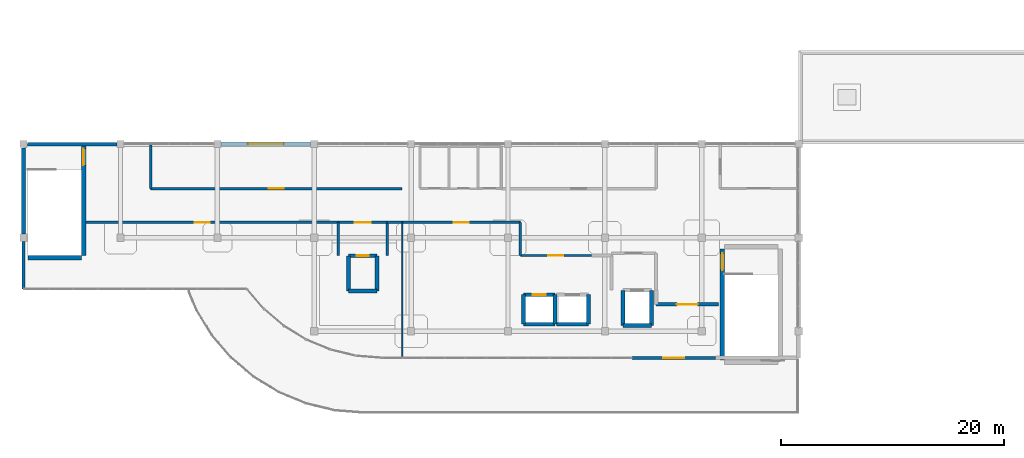
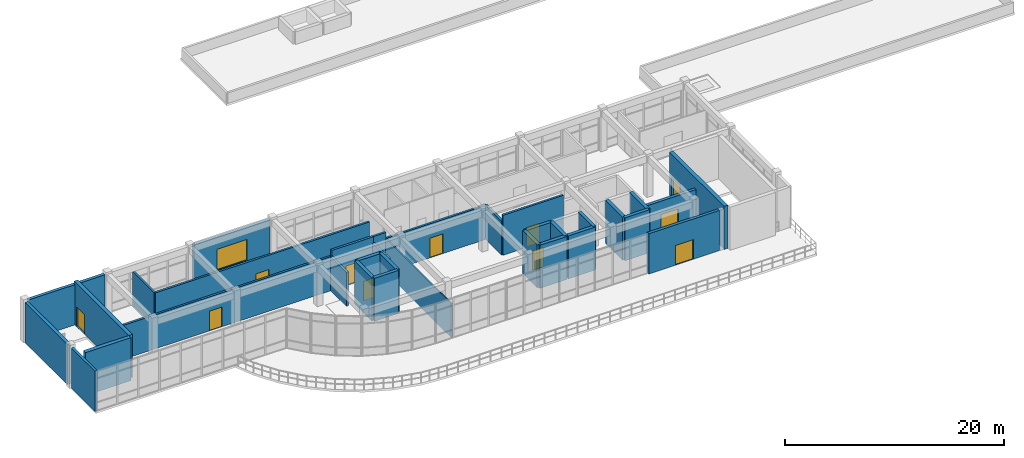
# One storey, part 36 of 41: 33 walls, 11 doors, 1 window, 12 openings.
"""IFC4 building model written with IfcOpenShell, lengths in metres."""

from ifc_helpers import new_model, si_unit, derived_unit, direction, frame, frame_2d, origin, place, context, subcontext, project, spatial, rectangle, extrude, material, layer, layer_set, type_object, element, fill, save


model = new_model("IFC4")

# Units and contexts
model_context = context("Model", 3, precision=1e-05, world=origin(), true_north=direction((0.0, 1.0)))
body_context = subcontext(model_context, "Body", "Model", "MODEL_VIEW")
ifc_project = project(units=[si_unit("LENGTHUNIT", "METRE"), si_unit("AREAUNIT", "SQUARE_METRE"), si_unit("VOLUMEUNIT", "CUBIC_METRE"), si_unit("PLANEANGLEUNIT", "RADIAN"), si_unit("MASSUNIT", "GRAM", prefix="KILO"), derived_unit("THERMALTRANSMITTANCEUNIT", [(si_unit("MASSUNIT", "GRAM", prefix="KILO"), 1), (si_unit("TIMEUNIT", "SECOND"), -3), (si_unit("THERMODYNAMICTEMPERATUREUNIT", "KELVIN"), -1)])], contexts=[model_context])

# Site, building, storey
site_placement = place(None, origin())
site = spatial("IfcSite", under=ifc_project, at=site_placement, CompositionType="ELEMENT")
building_placement = place(site_placement, origin())
building = spatial("IfcBuilding", under=site, at=building_placement, Name="Qinzheling Arcade Emporium", CompositionType="ELEMENT")
storey_placement = place(building_placement, frame((0.0, 0.0, 36.300048828125)))
storey = spatial("IfcBuildingStorey", under=building, at=storey_placement, Name="L08", CompositionType="ELEMENT", Elevation=36.300048828125)

# Wall, opening, door
ifc_material_1 = material(Name="Double-stud acoustic gypsum board partition")
ifc_layer_1 = layer(ifc_material_1, 0.215087890625, Name="Double-stud acoustic gypsum board partition")
ifc_layer_set_1 = layer_set([ifc_layer_1], Name="Double-stud acoustic gypsum board partition")
wall_type_1 = type_object("IfcWallType", Name="Acoustic Corridor Partition Wall 215", PredefinedType="PARTITIONING", material=ifc_layer_set_1)
wall_1_placement = place(storey_placement, frame((44.60009765625, 32.0, 0.0), z_axis=(0.0, 0.0, 1.0), x_axis=(1.0, 0.0, 0.0)))
wall_1 = element("IfcWall", 1, at=wall_1_placement, inside=storey, type_object=wall_type_1, Name="Interior Wall WL-L08-INT-0976", PredefinedType="PARTITIONING", context=body_context, shape_type="SweptSolid", body=[
    extrude(rectangle(XDim=6.39990234375, YDim=0.215087890625, at=frame_2d((3.199951171875, 0.0))), origin(), (0.0, 0.0, 1.0), 4.4599609375),
])
opening_1_placement = place(wall_1_placement, frame((2.52490234375, 0.0, 0.0)))
opening_1 = element("IfcOpeningElement", 2, at=opening_1_placement, cuts=wall_1, Name="Opening FD05", PredefinedType="OPENING", context=body_context, shape_type="SweptSolid", body=[
    extrude(rectangle(XDim=1.35009765625, YDim=2.199951171875, at=frame_2d((0.675048828125, 1.10009765625))), frame((0.0, 0.11767578125, 0.0), z_axis=(0.0, -1.0, 0.0), x_axis=(1.0, 0.0, 0.0)), (0.0, 0.0, 1.0), 0.235107421875),
])
ifc_material_2 = material(Name="Class B fire-rated stainless-clad door")
door_type_1 = type_object("IfcDoorType", Name="Kitchen Fire-Rated Service Door 1350x2200", OperationType="NOTDEFINED", PredefinedType="DOOR", material=ifc_material_2)
door_1_placement = place(opening_1_placement, origin())
door_1 = element("IfcDoor", 3, at=door_1_placement, inside=storey, type_object=door_type_1, Name="FD05 Interior Door DR-L08-INT-0287", OperationType="SINGLE_SWING_LEFT", OverallHeight=2.199951171875, OverallWidth=1.35009765625, PredefinedType="DOOR", context=body_context, shape_type="SweptSolid", body=[
    extrude(rectangle(XDim=1.35009765625, YDim=2.199951171875, at=frame_2d((0.675048828125, 1.10009765625))), frame((0.0, 0.02490234375, 0.0), z_axis=(0.0, -1.0, 0.0), x_axis=(1.0, 0.0, 0.0)), (0.0, 0.0, 1.0), 0.050048828125),
])
fill(opening_1, door_1)

# Wall
wall_2_placement = place(storey_placement, frame((11.39990234375, 41.89990234375, 0.0), z_axis=(0.0, 0.0, 1.0), x_axis=(0.0, -1.0, 0.0)))
element("IfcWall", 4, at=wall_2_placement, inside=storey, type_object=wall_type_1, Name="Interior Wall WL-L08-INT-1001", PredefinedType="PARTITIONING", context=body_context, shape_type="SweptSolid", body=[
    extrude(rectangle(XDim=3.89990234375, YDim=0.215087890625, at=frame_2d((1.949951171875, 0.0))), origin(), (0.0, 0.0, 1.0), 3.800048828125),
])

# Wall, opening, door
wall_3_placement = place(storey_placement, frame((11.39990234375, 38.0, 0.0), z_axis=(0.0, 0.0, 1.0), x_axis=(1.0, 0.0, 0.0)))
wall_3 = element("IfcWall", 5, at=wall_3_placement, inside=storey, type_object=wall_type_1, Name="Interior Wall WL-L08-INT-1002", PredefinedType="PARTITIONING", context=body_context, shape_type="SweptSolid", body=[
    extrude(rectangle(XDim=22.60009765625, YDim=0.215087890625, at=frame_2d((11.300048828125, 0.0))), origin(), (0.0, 0.0, 1.0), 3.800048828125),
])
opening_2_placement = place(wall_3_placement, frame((10.625, 0.0, 0.0)))
opening_2 = element("IfcOpeningElement", 6, at=opening_2_placement, cuts=wall_3, Name="Opening FD05", PredefinedType="OPENING", context=body_context, shape_type="SweptSolid", body=[
    extrude(rectangle(XDim=1.35009765625, YDim=2.199951171875, at=frame_2d((0.675048828125, 1.10009765625))), frame((0.0, 0.11767578125, 0.0), z_axis=(0.0, -1.0, 0.0), x_axis=(1.0, 0.0, 0.0)), (0.0, 0.0, 1.0), 0.235107421875),
])
door_2_placement = place(opening_2_placement, origin())
door_2 = element("IfcDoor", 7, at=door_2_placement, inside=storey, type_object=door_type_1, Name="FD05 Interior Door DR-L08-INT-0294", OperationType="SINGLE_SWING_RIGHT", OverallHeight=2.199951171875, OverallWidth=1.35009765625, PredefinedType="DOOR", context=body_context, shape_type="SweptSolid", body=[
    extrude(rectangle(XDim=1.35009765625, YDim=2.199951171875, at=frame_2d((0.675048828125, 1.10009765625))), frame((0.0, 0.02490234375, 0.0), z_axis=(0.0, -1.0, 0.0), x_axis=(1.0, 0.0, 0.0)), (0.0, 0.0, 1.0), 0.050048828125),
])
fill(opening_2, door_2)

wall_4_placement = place(storey_placement, frame((28.25, 34.97998046875, 0.0), z_axis=(0.0, 0.0, 1.0), x_axis=(-1.0, 0.0, 0.0)))
wall_4 = element("IfcWall", 8, at=wall_4_placement, inside=storey, type_object=wall_type_1, Name="Interior Wall WL-L08-INT-1003", PredefinedType="PARTITIONING", context=body_context, shape_type="SweptSolid", body=[
    extrude(rectangle(XDim=22.655029296875, YDim=0.215087890625, at=frame_2d((11.32763671875, 0.0))), origin(), (0.0, 0.0, 1.0), 3.800048828125),
])
opening_3_placement = place(wall_4_placement, frame((11.552978515625, 0.0, 0.0)))
opening_3 = element("IfcOpeningElement", 9, at=opening_3_placement, cuts=wall_4, Name="Opening FD05", PredefinedType="OPENING", context=body_context, shape_type="SweptSolid", body=[
    extrude(rectangle(XDim=1.35009765625, YDim=2.199951171875, at=frame_2d((0.675048828125, 1.10009765625))), frame((0.0, 0.11767578125, 0.0), z_axis=(0.0, -1.0, 0.0), x_axis=(1.0, 0.0, 0.0)), (0.0, 0.0, 1.0), 0.235107421875),
])
door_3_placement = place(opening_3_placement, origin())
door_3 = element("IfcDoor", 10, at=door_3_placement, inside=storey, type_object=door_type_1, Name="FD05 Interior Door DR-L08-INT-0295", OperationType="SINGLE_SWING_LEFT", OverallHeight=2.199951171875, OverallWidth=1.35009765625, PredefinedType="DOOR", context=body_context, shape_type="SweptSolid", body=[
    extrude(rectangle(XDim=1.35009765625, YDim=2.199951171875, at=frame_2d((0.675048828125, 1.10009765625))), frame((0.0, 0.02490234375, 0.0), z_axis=(0.0, -1.0, 0.0), x_axis=(1.0, 0.0, 0.0)), (0.0, 0.0, 1.0), 0.050048828125),
])
fill(opening_3, door_3)

# Walls
wall_5_placement = place(storey_placement, frame((34.0, 34.97998046875, 0.0), z_axis=(0.0, 0.0, 1.0), x_axis=(-1.0, 0.0, 0.0)))
element("IfcWall", 11, at=wall_5_placement, inside=storey, type_object=wall_type_1, Name="Interior Wall WL-L08-INT-1004", PredefinedType="PARTITIONING", context=body_context, shape_type="SweptSolid", body=[
    extrude(rectangle(XDim=1.35009765625, YDim=0.215087890625, at=frame_2d((0.675048828125, 0.0))), origin(), (0.0, 0.0, 1.0), 4.4599609375),
])
wall_6_placement = place(storey_placement, frame((44.60009765625, 32.0, 0.0), z_axis=(0.0, 0.0, 1.0), x_axis=(0.0, 1.0, 0.0)))
element("IfcWall", 12, at=wall_6_placement, inside=storey, type_object=wall_type_1, Name="Interior Wall WL-L08-INT-1005", PredefinedType="PARTITIONING", context=body_context, shape_type="SweptSolid", body=[
    extrude(rectangle(XDim=2.97998046875, YDim=0.215087890625, at=frame_2d((1.489990234375, 0.0))), origin(), (0.0, 0.0, 1.0), 3.800048828125),
])

# Wall, opening, door
wall_7_placement = place(storey_placement, frame((44.60009765625, 34.97998046875, 0.0), z_axis=(0.0, 0.0, 1.0), x_axis=(-1.0, 0.0, 0.0)))
wall_7 = element("IfcWall", 13, at=wall_7_placement, inside=storey, type_object=wall_type_1, Name="Interior Wall WL-L08-INT-1006", PredefinedType="PARTITIONING", context=body_context, shape_type="SweptSolid", body=[
    extrude(rectangle(XDim=10.60009765625, YDim=0.215087890625, at=frame_2d((5.300048828125, 0.0))), origin(), (0.0, 0.0, 1.0), 3.800048828125),
])
opening_4_placement = place(wall_7_placement, frame((4.625, 0.0, 0.0)))
opening_4 = element("IfcOpeningElement", 14, at=opening_4_placement, cuts=wall_7, Name="Opening FD05", PredefinedType="OPENING", context=body_context, shape_type="SweptSolid", body=[
    extrude(rectangle(XDim=1.35009765625, YDim=2.199951171875, at=frame_2d((0.675048828125, 1.10009765625))), frame((0.0, 0.11767578125, 0.0), z_axis=(0.0, -1.0, 0.0), x_axis=(1.0, 0.0, 0.0)), (0.0, 0.0, 1.0), 0.235107421875),
])
door_4_placement = place(opening_4_placement, origin())
door_4 = element("IfcDoor", 15, at=door_4_placement, inside=storey, type_object=door_type_1, Name="FD05 Interior Door DR-L08-INT-0296", OperationType="SINGLE_SWING_RIGHT", OverallHeight=2.199951171875, OverallWidth=1.35009765625, PredefinedType="DOOR", context=body_context, shape_type="SweptSolid", body=[
    extrude(rectangle(XDim=1.35009765625, YDim=2.199951171875, at=frame_2d((0.675048828125, 1.10009765625))), frame((0.0, 0.02490234375, 0.0), z_axis=(0.0, -1.0, 0.0), x_axis=(1.0, 0.0, 0.0)), (0.0, 0.0, 1.0), 0.050048828125),
])
fill(opening_4, door_4)

# Walls
ifc_material_3 = material(Name="Insulated aluminium-clad spandrel wall", Category="aluminium")
ifc_layer_2 = layer(ifc_material_3, 0.260009765625, Name="Insulated aluminium-clad spandrel wall", Category="aluminium")
ifc_layer_set_2 = layer_set([ifc_layer_2], Name="Insulated aluminium-clad spandrel wall")
wall_type_2 = type_object("IfcWallType", Name="Arcade Clerestory Spandrel Wall 260", PredefinedType="STANDARD", material=ifc_layer_set_2)
wall_8_placement = place(storey_placement, frame((0.0, 29.0, 0.0), z_axis=(0.0, 0.0, 1.0), x_axis=(0.0, 1.0, 0.0)))
element("IfcWall", 16, at=wall_8_placement, inside=storey, type_object=wall_type_2, Name="Exterior Wall WL-L08-EW-0388", PredefinedType="STANDARD", context=body_context, shape_type="SweptSolid", body=[
    extrude(rectangle(XDim=4.27294921875, YDim=0.260009765625, at=frame_2d((2.136474609375, 0.0))), origin(), (0.0, 0.0, 1.0), 4.489990234375),
])
ifc_material_4 = material(Name="Celadon glazed terracotta insulated spandrel", Category="masonry")
ifc_layer_3 = layer(ifc_material_4, 0.340087890625, Name="Celadon glazed terracotta insulated spandrel", Category="masonry")
ifc_layer_set_3 = layer_set([ifc_layer_3], Name="Celadon glazed terracotta insulated spandrel")
wall_type_3 = type_object("IfcWallType", Name="Celadon Spandrel Infill Wall 340", PredefinedType="STANDARD", material=ifc_layer_set_3)
wall_9_placement = place(storey_placement, frame((0.0, 33.927001953125, 0.0), z_axis=(0.0, 0.0, 1.0), x_axis=(0.0, 1.0, 0.0)))
element("IfcWall", 17, at=wall_9_placement, inside=storey, type_object=wall_type_3, Name="Exterior Wall WL-L08-EW-0389", PredefinedType="STANDARD", context=body_context, shape_type="SweptSolid", body=[
    extrude(rectangle(XDim=7.74609375, YDim=0.340087890625, at=frame_2d((3.873046875, 0.0))), origin(), (0.0, 0.0, 1.0), 4.489990234375),
])
ifc_material_5 = material(Name="Glazed cream terracotta insulated wall", Category="masonry")
ifc_layer_4 = layer(ifc_material_5, 0.320068359375, Name="Glazed cream terracotta insulated wall", Category="masonry")
ifc_layer_set_4 = layer_set([ifc_layer_4], Name="Glazed cream terracotta insulated wall")
wall_type_4 = type_object("IfcWallType", Name="Chicago Frame Infill Wall 320", PredefinedType="STANDARD", material=ifc_layer_set_4)
wall_10_placement = place(storey_placement, frame((0.326904296875, 42.0, 0.0), z_axis=(0.0, 0.0, 1.0), x_axis=(1.0, 0.0, 0.0)))
element("IfcWall", 18, at=wall_10_placement, inside=storey, type_object=wall_type_4, Name="Exterior Wall WL-L08-EW-0390", PredefinedType="STANDARD", context=body_context, shape_type="SweptSolid", body=[
    extrude(rectangle(XDim=8.046142578125, YDim=0.320068359375, at=frame_2d((4.02294921875, 0.0))), origin(), (0.0, 0.0, 1.0), 4.489990234375),
])

# Wall, opening, door
ifc_material_6 = material(Name="Fire-rated double-stud gypsum and mineral wool wall")
ifc_layer_5 = layer(ifc_material_6, 0.2451171875, Name="Fire-rated double-stud gypsum and mineral wool wall")
ifc_layer_set_5 = layer_set([ifc_layer_5], Name="Fire-rated double-stud gypsum and mineral wool wall")
wall_type_5 = type_object("IfcWallType", Name="Firefighting Lobby Rated Wall 245", PredefinedType="STANDARD", material=ifc_layer_set_5)
wall_11_placement = place(storey_placement, frame((28.25, 34.97998046875, 0.0), z_axis=(0.0, 0.0, 1.0), x_axis=(1.0, 0.0, 0.0)))
wall_11 = element("IfcWall", 19, at=wall_11_placement, inside=storey, type_object=wall_type_5, Name="Interior Wall WL-L08-INT-0970", PredefinedType="STANDARD", context=body_context, shape_type="SweptSolid", body=[
    extrude(rectangle(XDim=4.39990234375, YDim=0.2451171875, at=frame_2d((2.199951171875, 0.0))), origin(), (0.0, 0.0, 1.0), 4.4599609375),
])
opening_5_placement = place(wall_11_placement, frame((1.47509765625, 0.0, 0.0)))
opening_5 = element("IfcOpeningElement", 20, at=opening_5_placement, cuts=wall_11, Name="Opening FD02", PredefinedType="OPENING", context=body_context, shape_type="SweptSolid", body=[
    extrude(rectangle(XDim=1.449951171875, YDim=2.199951171875, at=frame_2d((0.72509765625, 1.10009765625))), frame((0.0, 0.132568359375, 0.0), z_axis=(0.0, -1.0, 0.0), x_axis=(1.0, 0.0, 0.0)), (0.0, 0.0, 1.0), 0.26513671875),
])
ifc_material_7 = material(Name="Class A fire-rated steel double door", Category="steel")
door_type_2 = type_object("IfcDoorType", Name="Firefighting Lobby Fire Door 1450x2200", OperationType="DOUBLE_DOOR_SINGLE_SWING", PredefinedType="DOOR", material=ifc_material_7)
door_5_placement = place(opening_5_placement, origin())
door_5 = element("IfcDoor", 21, at=door_5_placement, inside=storey, type_object=door_type_2, Name="FD02 Interior Door DR-L08-INT-0285", OperationType="DOUBLE_DOOR_SINGLE_SWING", OverallHeight=2.199951171875, OverallWidth=1.449951171875, PredefinedType="DOOR", context=body_context, shape_type="SweptSolid", body=[
    extrude(rectangle(XDim=1.449951171875, YDim=2.199951171875, at=frame_2d((0.72509765625, 1.10009765625))), frame((0.0, 0.02490234375, 0.0), z_axis=(0.0, -1.0, 0.0), x_axis=(1.0, 0.0, 0.0)), (0.0, 0.0, 1.0), 0.050048828125),
])
fill(opening_5, door_5)

# Walls
for number, where, z_axis, x_axis, name in (
    (22, (28.25, 31.97998046875, 0.0), (0.0, 0.0, 1.0), (0.0, 1.0, 0.0), "Interior Wall WL-L08-INT-0971"),
    (23, (32.64990234375, 34.97998046875, 0.0), (0.0, 0.0, 1.0), (0.0, -1.0, 0.0), "Interior Wall WL-L08-INT-0972"),
):
    element("IfcWall", number, at=place(storey_placement, frame(where, z_axis=z_axis, x_axis=x_axis)), inside=storey, type_object=wall_type_5, Name=name, PredefinedType="STANDARD", context=body_context, shape_type="SweptSolid", body=[
        extrude(rectangle(XDim=3.0, YDim=0.2451171875, at=frame_2d((1.5, 0.0))), origin(), (0.0, 0.0, 1.0), 3.800048828125),
    ])

# Wall, opening, window
ifc_material_8 = material(Name="Glazed cream terracotta on Concrete C40", Category="masonry")
ifc_layer_6 = layer(ifc_material_8, 0.360107421875, Name="Glazed cream terracotta on Concrete C40", Category="masonry")
ifc_layer_set_6 = layer_set([ifc_layer_6], Name="Glazed cream terracotta on Concrete C40")
wall_type_6 = type_object("IfcWallType", Name="Glazed Terracotta Pier Wall 360", PredefinedType="STANDARD", material=ifc_layer_set_6)
wall_12_placement = place(storey_placement, frame((17.72705078125, 42.0, 0.0), z_axis=(0.0, 0.0, 1.0), x_axis=(1.0, 0.0, 0.0)))
wall_12 = element("IfcWall", 24, at=wall_12_placement, inside=storey, type_object=wall_type_6, Name="Exterior Wall WL-L08-EW-0391", PredefinedType="STANDARD", context=body_context, shape_type="SweptSolid", body=[
    extrude(rectangle(XDim=8.0458984375, YDim=0.360107421875, at=frame_2d((4.02294921875, 0.0))), origin(), (0.0, 0.0, 1.0), 4.489990234375),
])
opening_6_placement = place(wall_12_placement, frame((2.423095703125, 0.0, 0.85009765625)))
opening_6 = element("IfcOpeningElement", 25, at=opening_6_placement, cuts=wall_12, Name="Opening WN35", PredefinedType="OPENING", context=body_context, shape_type="SweptSolid", body=[
    extrude(rectangle(XDim=3.199951171875, YDim=2.35009765625, at=frame_2d((1.60009765625, 1.175048828125))), frame((0.0, 0.18994140625, 0.0), z_axis=(0.0, -1.0, 0.0), x_axis=(1.0, 0.0, 0.0)), (0.0, 0.0, 1.0), 0.380126953125),
])
ifc_material_9 = material(Name="Thermally broken aluminium frame with solar-control double glazing", Category="aluminium")
window_type = type_object("IfcWindowType", Name="Chicago Tripartite Window 3200x2350", PartitioningType="TRIPLE_PANEL_VERTICAL", PredefinedType="WINDOW", material=ifc_material_9)
window_placement = place(opening_6_placement, origin())
window = element("IfcWindow", 26, at=window_placement, inside=storey, type_object=window_type, Name="WN35 Window WN-L08-0089", OverallHeight=2.35009765625, OverallWidth=3.199951171875, PartitioningType="TRIPLE_PANEL_VERTICAL", PredefinedType="WINDOW", context=body_context, shape_type="SweptSolid", body=[
    extrude(rectangle(XDim=3.199951171875, YDim=2.35009765625, at=frame_2d((1.60009765625, 1.175048828125))), frame((0.0, 0.030029296875, 0.0), z_axis=(0.0, -1.0, 0.0), x_axis=(1.0, 0.0, 0.0)), (0.0, 0.0, 1.0), 0.06005859375),
])
fill(opening_6, window)

# Walls
ifc_material_10 = material(Name="Concrete C40", Category="concrete")
ifc_layer_7 = layer(ifc_material_10, 0.35009765625, Name="Concrete C40", Category="concrete")
ifc_layer_set_7 = layer_set([ifc_layer_7], Name="Concrete C40")
wall_type_7 = type_object("IfcWallType", Name="RC Lift Shaft Shear Wall 350 C40", PredefinedType="SHEAR", material=ifc_layer_set_7)
wall_13_placement = place(storey_placement, frame((56.375, 25.72509765625, 0.0), z_axis=(0.0, 0.0, 1.0), x_axis=(-1.0, 0.0, 0.0)))
element("IfcWall", 27, at=wall_13_placement, inside=storey, type_object=wall_type_7, Name="Lift Shaft Wall WL-L08-LFT-LF01-S", PredefinedType="SHEAR", context=body_context, shape_type="SweptSolid", body=[
    extrude(rectangle(XDim=2.550048828125, YDim=0.35009765625, at=frame_2d((1.27490234375, 0.0))), origin(), (0.0, 0.0, 1.0), 4.800048828125),
])
for number, where, z_axis, x_axis, name in (
    (28, (53.824951171875, 25.72509765625, 0.0), (0.0, 0.0, 1.0), (0.0, 1.0, 0.0), "Lift Shaft Wall WL-L08-LFT-LF01-W"),
    (29, (56.375, 28.875, 0.0), (0.0, 0.0, 1.0), (0.0, -1.0, 0.0), "Lift Shaft Wall WL-L08-LFT-LF01-E"),
):
    element("IfcWall", number, at=place(storey_placement, frame(where, z_axis=z_axis, x_axis=x_axis)), inside=storey, type_object=wall_type_7, Name=name, PredefinedType="SHEAR", context=body_context, shape_type="SweptSolid", body=[
        extrude(rectangle(XDim=3.14990234375, YDim=0.35009765625, at=frame_2d((1.574951171875, 0.0))), origin(), (0.0, 0.0, 1.0), 4.800048828125),
    ])

# Wall, opening, door
wall_14_placement = place(storey_placement, frame((29.175048828125, 31.97509765625, 0.0), z_axis=(0.0, 0.0, 1.0), x_axis=(1.0, 0.0, 0.0)))
wall_14 = element("IfcWall", 30, at=wall_14_placement, inside=storey, type_object=wall_type_7, Name="Lift Shaft Wall WL-L08-LFT-LF02-N", PredefinedType="SHEAR", context=body_context, shape_type="SweptSolid", body=[
    extrude(rectangle(XDim=2.550048828125, YDim=0.35009765625, at=frame_2d((1.27490234375, 0.0))), origin(), (0.0, 0.0, 1.0), 4.800048828125),
])
opening_7_placement = place(wall_14_placement, frame((0.72509765625, 0.0, 0.0)))
opening_7 = element("IfcOpeningElement", 31, at=opening_7_placement, cuts=wall_14, Name="Opening LD01", PredefinedType="OPENING", context=body_context, shape_type="SweptSolid", body=[
    extrude(rectangle(XDim=1.10009765625, YDim=2.199951171875, at=frame_2d((0.550048828125, 1.10009765625))), frame((0.0, 0.18505859375, 0.0), z_axis=(0.0, -1.0, 0.0), x_axis=(1.0, 0.0, 0.0)), (0.0, 0.0, 1.0), 0.3701171875),
])
ifc_material_11 = material(Name="Fire-rated stainless steel sliding lift door", Category="steel")
door_type_3 = type_object("IfcDoorType", Name="Firefighting Lift Sliding Landing Door 1100x2200", OperationType="DOUBLE_DOOR_SLIDING", PredefinedType="DOOR", material=ifc_material_11)
door_6_placement = place(opening_7_placement, origin())
door_6 = element("IfcDoor", 32, at=door_6_placement, inside=storey, type_object=door_type_3, Name="LD01 Lift Landing Door LF02 L08", OperationType="DOUBLE_DOOR_SLIDING", OverallHeight=2.199951171875, OverallWidth=1.10009765625, PredefinedType="DOOR", context=body_context, shape_type="SweptSolid", body=[
    extrude(rectangle(XDim=1.10009765625, YDim=2.199951171875, at=frame_2d((0.550048828125, 1.10009765625))), frame((0.0, 0.02490234375, 0.0), z_axis=(0.0, -1.0, 0.0), x_axis=(1.0, 0.0, 0.0)), (0.0, 0.0, 1.0), 0.050048828125),
])
fill(opening_7, door_6)

# Walls
wall_15_placement = place(storey_placement, frame((31.72509765625, 28.824951171875, 0.0), z_axis=(0.0, 0.0, 1.0), x_axis=(-1.0, 0.0, 0.0)))
element("IfcWall", 33, at=wall_15_placement, inside=storey, type_object=wall_type_7, Name="Lift Shaft Wall WL-L08-LFT-LF02-S", PredefinedType="SHEAR", context=body_context, shape_type="SweptSolid", body=[
    extrude(rectangle(XDim=2.550048828125, YDim=0.35009765625, at=frame_2d((1.27490234375, 0.0))), origin(), (0.0, 0.0, 1.0), 4.800048828125),
])
for number, where, z_axis, x_axis, name in (
    (34, (29.175048828125, 28.824951171875, 0.0), (0.0, 0.0, 1.0), (0.0, 1.0, 0.0), "Lift Shaft Wall WL-L08-LFT-LF02-W"),
    (35, (31.72509765625, 31.97509765625, 0.0), (0.0, 0.0, 1.0), (0.0, -1.0, 0.0), "Lift Shaft Wall WL-L08-LFT-LF02-E"),
):
    element("IfcWall", number, at=place(storey_placement, frame(where, z_axis=z_axis, x_axis=x_axis)), inside=storey, type_object=wall_type_7, Name=name, PredefinedType="SHEAR", context=body_context, shape_type="SweptSolid", body=[
        extrude(rectangle(XDim=3.150146484375, YDim=0.35009765625, at=frame_2d((1.5751953125, 0.0))), origin(), (0.0, 0.0, 1.0), 4.800048828125),
    ])

# Wall, opening, door
wall_16_placement = place(storey_placement, frame((44.875, 28.47509765625, 0.0), z_axis=(0.0, 0.0, 1.0), x_axis=(1.0, 0.0, 0.0)))
wall_16 = element("IfcWall", 36, at=wall_16_placement, inside=storey, type_object=wall_type_7, Name="Lift Shaft Wall WL-L08-LFT-LP01-N", PredefinedType="SHEAR", context=body_context, shape_type="SweptSolid", body=[
    extrude(rectangle(XDim=2.85009765625, YDim=0.35009765625, at=frame_2d((1.425048828125, 0.0))), origin(), (0.0, 0.0, 1.0), 4.800048828125),
])
opening_8_placement = place(wall_16_placement, frame((0.824951171875, 0.0, 0.0)))
opening_8 = element("IfcOpeningElement", 37, at=opening_8_placement, cuts=wall_16, Name="Opening LD02", PredefinedType="OPENING", context=body_context, shape_type="SweptSolid", body=[
    extrude(rectangle(XDim=1.199951171875, YDim=2.199951171875, at=frame_2d((0.60009765625, 1.10009765625))), frame((0.0, 0.18505859375, 0.0), z_axis=(0.0, -1.0, 0.0), x_axis=(1.0, 0.0, 0.0)), (0.0, 0.0, 1.0), 0.3701171875),
])
ifc_material_12 = material(Name="Brushed bronze stainless sliding lift door")
door_type_4 = type_object("IfcDoorType", Name="Passenger Lift Sliding Landing Door 1200x2200", OperationType="DOUBLE_DOOR_SLIDING", PredefinedType="DOOR", material=ifc_material_12)
door_7_placement = place(opening_8_placement, origin())
door_7 = element("IfcDoor", 38, at=door_7_placement, inside=storey, type_object=door_type_4, Name="LD02 Lift Landing Door LP01 L08", OperationType="DOUBLE_DOOR_SLIDING", OverallHeight=2.199951171875, OverallWidth=1.199951171875, PredefinedType="DOOR", context=body_context, shape_type="SweptSolid", body=[
    extrude(rectangle(XDim=1.199951171875, YDim=2.199951171875, at=frame_2d((0.60009765625, 1.10009765625))), frame((0.0, 0.02490234375, 0.0), z_axis=(0.0, -1.0, 0.0), x_axis=(1.0, 0.0, 0.0)), (0.0, 0.0, 1.0), 0.050048828125),
])
fill(opening_8, door_7)

# Walls
wall_17_placement = place(storey_placement, frame((47.72509765625, 25.824951171875, 0.0), z_axis=(0.0, 0.0, 1.0), x_axis=(-1.0, 0.0, 0.0)))
element("IfcWall", 39, at=wall_17_placement, inside=storey, type_object=wall_type_7, Name="Lift Shaft Wall WL-L08-LFT-LP01-S", PredefinedType="SHEAR", context=body_context, shape_type="SweptSolid", body=[
    extrude(rectangle(XDim=2.85009765625, YDim=0.35009765625, at=frame_2d((1.425048828125, 0.0))), origin(), (0.0, 0.0, 1.0), 4.800048828125),
])
for number, where, z_axis, x_axis, name in (
    (40, (44.875, 25.824951171875, 0.0), (0.0, 0.0, 1.0), (0.0, 1.0, 0.0), "Lift Shaft Wall WL-L08-LFT-LP01-W"),
    (41, (47.72509765625, 28.47509765625, 0.0), (0.0, 0.0, 1.0), (0.0, -1.0, 0.0), "Lift Shaft Wall WL-L08-LFT-LP01-E"),
):
    element("IfcWall", number, at=place(storey_placement, frame(where, z_axis=z_axis, x_axis=x_axis)), inside=storey, type_object=wall_type_7, Name=name, PredefinedType="SHEAR", context=body_context, shape_type="SweptSolid", body=[
        extrude(rectangle(XDim=2.650146484375, YDim=0.35009765625, at=frame_2d((1.3251953125, 0.0))), origin(), (0.0, 0.0, 1.0), 4.800048828125),
    ])
wall_18_placement = place(storey_placement, frame((50.72509765625, 25.824951171875, 0.0), z_axis=(0.0, 0.0, 1.0), x_axis=(-1.0, 0.0, 0.0)))
element("IfcWall", 42, at=wall_18_placement, inside=storey, type_object=wall_type_7, Name="Lift Shaft Wall WL-L08-LFT-LP02-S", PredefinedType="SHEAR", context=body_context, shape_type="SweptSolid", body=[
    extrude(rectangle(XDim=2.85009765625, YDim=0.35009765625, at=frame_2d((1.425048828125, 0.0))), origin(), (0.0, 0.0, 1.0), 4.800048828125),
])
wall_19_placement = place(storey_placement, frame((50.72509765625, 28.47509765625, 0.0), z_axis=(0.0, 0.0, 1.0), x_axis=(0.0, -1.0, 0.0)))
element("IfcWall", 43, at=wall_19_placement, inside=storey, type_object=wall_type_7, Name="Lift Shaft Wall WL-L08-LFT-LP02-E", PredefinedType="SHEAR", context=body_context, shape_type="SweptSolid", body=[
    extrude(rectangle(XDim=2.650146484375, YDim=0.35009765625, at=frame_2d((1.3251953125, 0.0))), origin(), (0.0, 0.0, 1.0), 4.800048828125),
])

# Wall, opening, door
ifc_material_13 = material(Name="Concrete C50", Category="concrete")
ifc_layer_8 = layer(ifc_material_13, 0.39990234375, Name="Concrete C50", Category="concrete")
ifc_layer_set_8 = layer_set([ifc_layer_8], Name="Concrete C50")
wall_type_8 = type_object("IfcWallType", Name="RC Stair Core Shear Wall 400 C50", PredefinedType="SHEAR", material=ifc_layer_set_8)
wall_20_placement = place(storey_placement, frame((62.75, 22.60009765625, 0.0), z_axis=(0.0, 0.0, 1.0), x_axis=(0.0, 1.0, 0.0)))
wall_20 = element("IfcWall", 44, at=wall_20_placement, inside=storey, type_object=wall_type_8, Name="Stair Core Wall WL-L08-ST01-WEST", PredefinedType="SHEAR", context=body_context, shape_type="SweptSolid", body=[
    extrude(rectangle(XDim=10.0, YDim=0.39990234375, at=frame_2d((5.0, 0.0))), origin(), (0.0, 0.0, 1.0), 4.800048828125),
])
opening_9_placement = place(wall_20_placement, frame((8.090087890625, 0.0, 0.0)))
opening_9 = element("IfcOpeningElement", 45, at=opening_9_placement, cuts=wall_20, Name="Opening FD01", PredefinedType="OPENING", context=body_context, shape_type="SweptSolid", body=[
    extrude(rectangle(XDim=1.5, YDim=2.199951171875, at=frame_2d((0.75, 1.10009765625))), frame((0.0, 0.2099609375, 0.0), z_axis=(0.0, -1.0, 0.0), x_axis=(1.0, 0.0, 0.0)), (0.0, 0.0, 1.0), 0.419921875),
])
door_type_5 = type_object("IfcDoorType", Name="Stairwell Smoke-Proof Fire Door 1500x2200", OperationType="DOUBLE_DOOR_SINGLE_SWING", PredefinedType="DOOR", material=ifc_material_7)
door_8_placement = place(opening_9_placement, origin())
door_8 = element("IfcDoor", 46, at=door_8_placement, inside=storey, type_object=door_type_5, Name="FD01 Stairwell Fire Door DR-L08-ST01-FD", OperationType="DOUBLE_DOOR_SINGLE_SWING", OverallHeight=2.199951171875, OverallWidth=1.5, PredefinedType="DOOR", context=body_context, shape_type="SweptSolid", body=[
    extrude(rectangle(XDim=1.5, YDim=2.199951171875, at=frame_2d((0.75, 1.10009765625))), frame((0.0, 0.02490234375, 0.0), z_axis=(0.0, -1.0, 0.0), x_axis=(1.0, 0.0, 0.0)), (0.0, 0.0, 1.0), 0.050048828125),
])
fill(opening_9, door_8)

wall_21_placement = place(storey_placement, frame((5.389892578125, 42.0, 0.0), z_axis=(0.0, 0.0, 1.0), x_axis=(0.0, -1.0, 0.0)))
wall_21 = element("IfcWall", 47, at=wall_21_placement, inside=storey, type_object=wall_type_8, Name="Stair Core Wall WL-L08-ST02-EAST", PredefinedType="SHEAR", context=body_context, shape_type="SweptSolid", body=[
    extrude(rectangle(XDim=10.0, YDim=0.39990234375, at=frame_2d((5.0, 0.0))), origin(), (0.0, 0.0, 1.0), 4.800048828125),
])
opening_10_placement = place(wall_21_placement, frame((0.409912109375, 0.0, 0.0)))
opening_10 = element("IfcOpeningElement", 48, at=opening_10_placement, cuts=wall_21, Name="Opening FD01", PredefinedType="OPENING", context=body_context, shape_type="SweptSolid", body=[
    extrude(rectangle(XDim=1.5, YDim=2.199951171875, at=frame_2d((0.75, 1.10009765625))), frame((0.0, 0.2099609375, 0.0), z_axis=(0.0, -1.0, 0.0), x_axis=(1.0, 0.0, 0.0)), (0.0, 0.0, 1.0), 0.419921875),
])
door_9_placement = place(opening_10_placement, origin())
door_9 = element("IfcDoor", 49, at=door_9_placement, inside=storey, type_object=door_type_5, Name="FD01 Stairwell Fire Door DR-L08-ST02-FD", OperationType="DOUBLE_DOOR_SINGLE_SWING", OverallHeight=2.199951171875, OverallWidth=1.5, PredefinedType="DOOR", context=body_context, shape_type="SweptSolid", body=[
    extrude(rectangle(XDim=1.5, YDim=2.199951171875, at=frame_2d((0.75, 1.10009765625))), frame((0.0, 0.02490234375, 0.0), z_axis=(0.0, -1.0, 0.0), x_axis=(1.0, 0.0, 0.0)), (0.0, 0.0, 1.0), 0.050048828125),
])
fill(opening_10, door_9)

# Wall
wall_22_placement = place(storey_placement, frame((5.18994140625, 31.800048828125, 0.0), z_axis=(0.0, 0.0, 1.0), x_axis=(-1.0, 0.0, 0.0)))
element("IfcWall", 50, at=wall_22_placement, inside=storey, type_object=wall_type_8, Name="Stair Core Wall WL-L08-ST02-SOUTH", PredefinedType="SHEAR", context=body_context, shape_type="SweptSolid", body=[
    extrude(rectangle(XDim=4.7900390625, YDim=0.39990234375, at=frame_2d((2.39501953125, 0.0))), origin(), (0.0, 0.0, 1.0), 4.800048828125),
])

# Wall, opening, door
ifc_material_14 = material(Name="Autoclaved aerated concrete masonry with fire plaster", Category="masonry")
ifc_layer_9 = layer(ifc_material_14, 0.31005859375, Name="Autoclaved aerated concrete masonry with fire plaster", Category="masonry")
ifc_layer_set_9 = layer_set([ifc_layer_9], Name="Autoclaved aerated concrete masonry with fire plaster")
wall_type_9 = type_object("IfcWallType", Name="Retail Compartment Fire Wall 310 C40", PredefinedType="STANDARD", material=ifc_layer_set_9)
wall_23_placement = place(storey_placement, frame((62.39990234375, 27.60009765625, 0.0), z_axis=(0.0, 0.0, 1.0), x_axis=(-1.0, 0.0, 0.0)))
wall_23 = element("IfcWall", 51, at=wall_23_placement, inside=storey, type_object=wall_type_9, Name="Interior Wall WL-L08-INT-1008", PredefinedType="STANDARD", context=body_context, shape_type="SweptSolid", body=[
    extrude(rectangle(XDim=5.599853515625, YDim=0.31005859375, at=frame_2d((2.7998046875, 0.0))), origin(), (0.0, 0.0, 1.0), 3.800048828125),
])
opening_11_placement = place(wall_23_placement, frame((1.875, 0.0, 0.0)))
opening_11 = element("IfcOpeningElement", 52, at=opening_11_placement, cuts=wall_23, Name="Opening FD03", PredefinedType="OPENING", context=body_context, shape_type="SweptSolid", body=[
    extrude(rectangle(XDim=1.85009765625, YDim=2.300048828125, at=frame_2d((0.925048828125, 1.14990234375))), frame((0.0, 0.1650390625, 0.0), z_axis=(0.0, -1.0, 0.0), x_axis=(1.0, 0.0, 0.0)), (0.0, 0.0, 1.0), 0.330078125),
])
door_type_6 = type_object("IfcDoorType", Name="Stockroom Double Fire Door 1850x2300", OperationType="DOUBLE_DOOR_SINGLE_SWING", PredefinedType="DOOR", material=ifc_material_7)
door_10_placement = place(opening_11_placement, origin())
door_10 = element("IfcDoor", 53, at=door_10_placement, inside=storey, type_object=door_type_6, Name="FD03 Interior Door DR-L08-INT-0297", OperationType="DOUBLE_DOOR_SINGLE_SWING", OverallHeight=2.300048828125, OverallWidth=1.85009765625, PredefinedType="DOOR", context=body_context, shape_type="SweptSolid", body=[
    extrude(rectangle(XDim=1.85009765625, YDim=2.300048828125, at=frame_2d((0.925048828125, 1.14990234375))), frame((0.0, 0.02490234375, 0.0), z_axis=(0.0, -1.0, 0.0), x_axis=(1.0, 0.0, 0.0)), (0.0, 0.0, 1.0), 0.050048828125),
])
fill(opening_11, door_10)

# Wall
ifc_material_15 = material(Name="Galvanised steel-stud stockroom partition", Category="steel")
ifc_layer_10 = layer(ifc_material_15, 0.114990234375, Name="Galvanised steel-stud stockroom partition", Category="steel")
ifc_layer_set_10 = layer_set([ifc_layer_10], Name="Galvanised steel-stud stockroom partition")
wall_type_10 = type_object("IfcWallType", Name="Storage Cage Partition Wall 115", PredefinedType="PARTITIONING", material=ifc_layer_set_10)
wall_24_placement = place(storey_placement, frame((34.0, 34.97998046875, 0.0), z_axis=(0.0, 0.0, 1.0), x_axis=(0.0, -1.0, 0.0)))
element("IfcWall", 54, at=wall_24_placement, inside=storey, type_object=wall_type_10, Name="Interior Wall WL-L08-INT-1013", PredefinedType="PARTITIONING", context=body_context, shape_type="SweptSolid", body=[
    extrude(rectangle(XDim=12.080078125, YDim=0.114990234375, at=frame_2d((6.0400390625, 0.0))), origin(), (0.0, 0.0, 1.0), 3.800048828125),
])

# Wall, opening, door
ifc_layer_11 = layer(ifc_material_5, 0.300048828125, Name="Glazed cream terracotta insulated wall", Category="masonry")
ifc_layer_set_11 = layer_set([ifc_layer_11], Name="Glazed cream terracotta insulated wall")
wall_type_11 = type_object("IfcWallType", Name="Terrace Facade Infill Wall 300", PredefinedType="STANDARD", material=ifc_layer_set_11)
wall_25_placement = place(storey_placement, frame((62.117919921875, 22.800048828125, 0.0), z_axis=(0.0, 0.0, 1.0), x_axis=(-1.0, 0.0, 0.0)))
wall_25 = element("IfcWall", 55, at=wall_25_placement, inside=storey, type_object=wall_type_11, Name="Exterior Wall WL-L08-EW-0387", PredefinedType="STANDARD", context=body_context, shape_type="SweptSolid", body=[
    extrude(rectangle(XDim=7.475830078125, YDim=0.300048828125, at=frame_2d((3.73779296875, 0.0))), origin(), (0.0, 0.0, 1.0), 4.489990234375),
])
opening_12_placement = place(wall_25_placement, frame((2.7880859375, 0.0, 0.0)))
opening_12 = element("IfcOpeningElement", 56, at=opening_12_placement, cuts=wall_25, Name="Opening TD03", PredefinedType="OPENING", context=body_context, shape_type="SweptSolid", body=[
    extrude(rectangle(XDim=1.89990234375, YDim=2.199951171875, at=frame_2d((0.949951171875, 1.10009765625))), frame((0.0, 0.16015625, 0.0), z_axis=(0.0, -1.0, 0.0), x_axis=(1.0, 0.0, 0.0)), (0.0, 0.0, 1.0), 0.320068359375),
])
ifc_material_16 = material(Name="Thermally broken aluminium and double glass", Category="aluminium")
door_type_7 = type_object("IfcDoorType", Name="Rooftop Restaurant Terrace Door 1900x2200", OperationType="DOUBLE_DOOR_SINGLE_SWING", PredefinedType="DOOR", material=ifc_material_16)
door_11_placement = place(opening_12_placement, origin())
door_11 = element("IfcDoor", 57, at=door_11_placement, inside=storey, type_object=door_type_7, Name="TD03 Exterior Door DR-L08-EXT-044", OperationType="DOUBLE_DOOR_SINGLE_SWING", OverallHeight=2.199951171875, OverallWidth=1.89990234375, PredefinedType="DOOR", context=body_context, shape_type="SweptSolid", body=[
    extrude(rectangle(XDim=1.89990234375, YDim=2.199951171875, at=frame_2d((0.949951171875, 1.10009765625))), frame((0.0, 0.02490234375, 0.0), z_axis=(0.0, -1.0, 0.0), x_axis=(1.0, 0.0, 0.0)), (0.0, 0.0, 1.0), 0.050048828125),
])
fill(opening_12, door_11)

save(model, "model.ifc")
